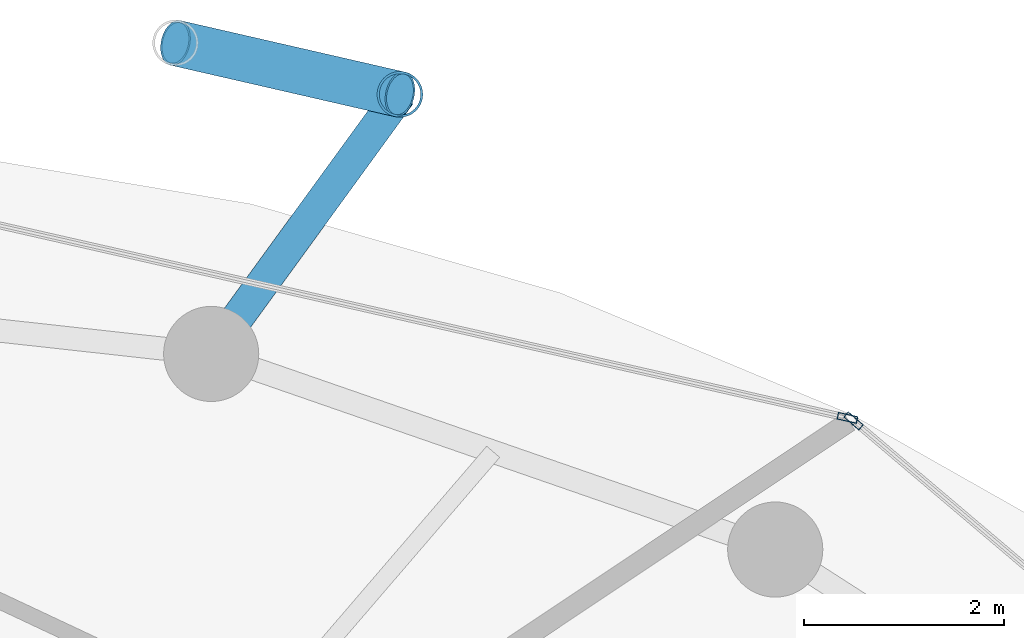
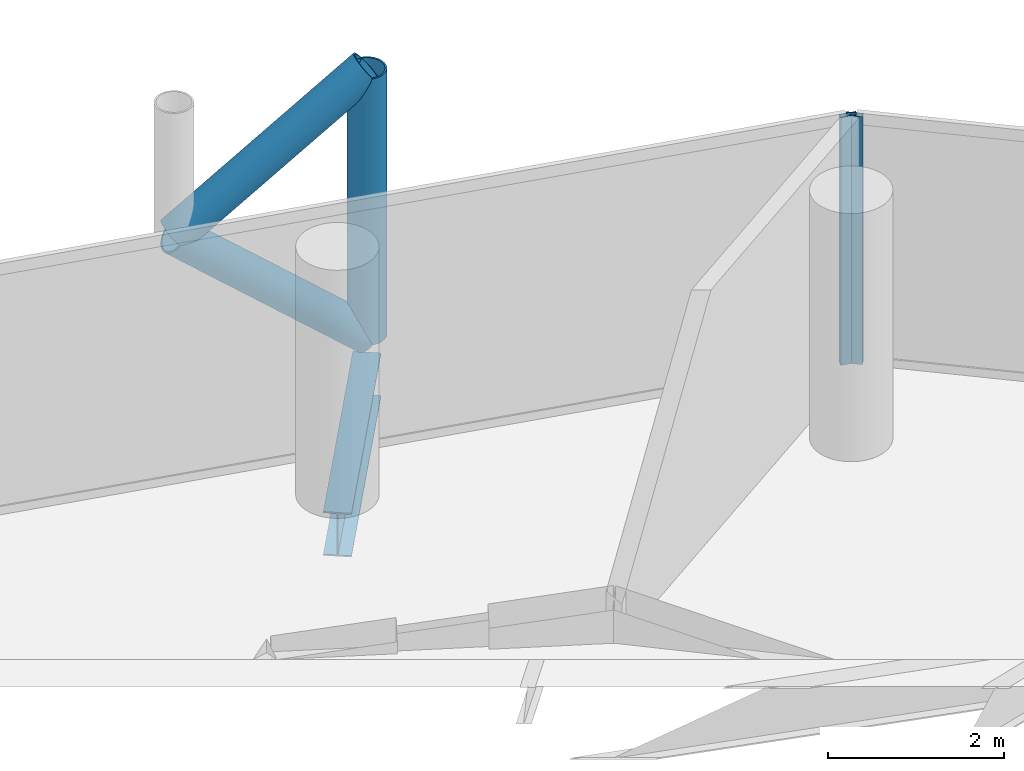
# One storey, part 20 of 26: 5 members, 1 beam, 2 elements without a shape of their own.
"""IFC4 building model written with IfcOpenShell, lengths in metres."""

import ifcopenshell
import ifcopenshell.guid

model = None  # the IFC model being written
_history = None  # IfcOwnerHistory: only IFC2X3 demands one
_inside = {}  # id of a spatial element -> (the spatial element, [elements in it])
_under = {}  # id of a project, library or spatial element -> (it, [spatial elements below it])
_declared = {}  # id of a project -> (the project, [libraries it declares])
_typed = {}  # id of a type object -> (the type object, [elements of that type])
_made_of = {}  # id of a material, layer set ... -> (it, [elements and type objects made of it])


def new_model(schema):
    """Start an empty IFC model of exactly this schema.

    Asked for "IFC4X3", IfcOpenShell would pick the latest addendum, in which some entities
    have other attributes; the version numbers below select the first issue.
    IFC2X3 requires an IfcOwnerHistory on every rooted entity: one is made here for all.
    """
    global model, _history
    if schema == "IFC4X3":
        model = ifcopenshell.file(schema_version=(4, 3, 0, 0))
    else:
        model = ifcopenshell.file(schema=schema)
    _inside.clear()
    _under.clear()
    _declared.clear()
    _typed.clear()
    _made_of.clear()
    _history = None
    if model.schema == "IFC2X3":
        org = make("IfcOrganization", Name="unknown")
        user = make(
            "IfcPersonAndOrganization",
            ThePerson=make("IfcPerson", FamilyName="unknown"),
            TheOrganization=org,
        )
        app = make(
            "IfcApplication",
            ApplicationDeveloper=org,
            Version="unknown",
            ApplicationFullName="unknown",
            ApplicationIdentifier="unknown",
        )
        _history = make(
            "IfcOwnerHistory",
            OwningUser=user,
            OwningApplication=app,
            ChangeAction="ADDED",
            CreationDate=0,
        )
    return model


def make(cls, **values):
    """One entity of the class cls with the attributes given. An attribute that is None is left unset."""
    return model.create_entity(
        cls, **{name: value for name, value in values.items() if value is not None}
    )


def rooted(cls, **values):
    """An entity with a GlobalId (a new one), such as an element, a storey or a relation."""
    return make(cls, GlobalId=ifcopenshell.guid.new(), OwnerHistory=_history, **values)


def si_unit(unit_type, name, prefix=None):
    """IfcSIUnit, for example si_unit("LENGTHUNIT", "METRE", prefix="MILLI")."""
    return make("IfcSIUnit", UnitType=unit_type, Prefix=prefix, Name=name)


def assignment(units):
    """IfcUnitAssignment: the units of a project."""
    return None if units is None else make("IfcUnitAssignment", Units=units)


def point(xyz):
    """IfcCartesianPoint."""
    return None if xyz is None else make("IfcCartesianPoint", Coordinates=xyz)


def direction(xyz):
    """IfcDirection."""
    return None if xyz is None else make("IfcDirection", DirectionRatios=xyz)


def frame(location, z_axis=None, x_axis=None):
    """IfcAxis2Placement3D, a coordinate frame: its origin and axes. An axis left out is left unset."""
    return make(
        "IfcAxis2Placement3D",
        Location=point(location),
        Axis=direction(z_axis),
        RefDirection=direction(x_axis),
    )


def frame_2d(location, x_axis=None):
    """IfcAxis2Placement2D, a coordinate frame in the plane: its origin and x axis."""
    return make(
        "IfcAxis2Placement2D", Location=point(location), RefDirection=direction(x_axis)
    )


def origin():
    """The frame at (0, 0, 0) with its axes left unset."""
    return frame((0.0, 0.0, 0.0))


def origin_2d():
    """The frame at (0, 0) in the plane with its x axis left unset."""
    return frame_2d((0.0, 0.0))


def place(relative_to, where):
    """IfcLocalPlacement: puts the frame where relative to a parent placement (None: the world)."""
    return make(
        "IfcLocalPlacement", PlacementRelTo=relative_to, RelativePlacement=where
    )


def context(
    kind, dimensions, precision=None, world=None, true_north=None, identifier=None
):
    """IfcGeometricRepresentationContext, for example the 3D "Model" context."""
    return make(
        "IfcGeometricRepresentationContext",
        ContextIdentifier=identifier,
        ContextType=kind,
        CoordinateSpaceDimension=dimensions,
        Precision=precision,
        WorldCoordinateSystem=world,
        TrueNorth=true_north,
    )


def subcontext(parent, identifier, kind, view, scale=None):
    """IfcGeometricRepresentationSubContext, for example "Body" below "Model"."""
    return make(
        "IfcGeometricRepresentationSubContext",
        ContextIdentifier=identifier,
        ContextType=kind,
        ParentContext=parent,
        TargetScale=scale,
        TargetView=view,
    )


def project(units=None, contexts=None):
    """IfcProject with its units and contexts."""
    return rooted(
        "IfcProject",
        Name="project",
        RepresentationContexts=contexts,
        UnitsInContext=assignment(units),
    )


def spatial(cls, under=None, at=None, **own):
    """A site, building, storey or space (cls), placed at a placement, below another one or the project."""
    s = rooted(cls, ObjectPlacement=at, **own)
    if under is not None:
        _under.setdefault(under.id(), (under, []))[1].append(s)
    return s


def profile(cls, at=None, kind="AREA", **sizes):
    """A parametric profile (cls). Its sizes go by their IFC names, for example OverallWidth=200.0."""
    return make(cls, ProfileType=kind, Position=at, **sizes)


def hollow_rectangle(**sizes):
    """IfcRectangleHollowProfileDef."""
    return profile("IfcRectangleHollowProfileDef", **sizes)


def hollow_circle(**sizes):
    """IfcCircleHollowProfileDef."""
    return profile("IfcCircleHollowProfileDef", **sizes)


def i_section(**sizes):
    """IfcIShapeProfileDef."""
    return profile("IfcIShapeProfileDef", **sizes)


def extrude(swept, where, along, depth):
    """IfcExtrudedAreaSolid: the profile swept, set in the frame where, extruded along a direction by depth."""
    return make(
        "IfcExtrudedAreaSolid",
        SweptArea=swept,
        Position=where,
        ExtrudedDirection=direction(along),
        Depth=depth,
    )


def shape(context_of_items, identifier, shape_type, items):
    """IfcShapeRepresentation: the items that make up one representation, for example the "Body"."""
    return make(
        "IfcShapeRepresentation",
        ContextOfItems=context_of_items,
        RepresentationIdentifier=identifier,
        RepresentationType=shape_type,
        Items=items,
    )


def material(Name=None, Category=None):
    """IfcMaterial."""
    return make("IfcMaterial", Name=Name, Category=Category)


def layer(
    of_material, thickness, ventilated=None, Name=None, Category=None, Priority=None
):
    """IfcMaterialLayer: one layer of a wall or slab, of a material (None: an air gap)."""
    return make(
        "IfcMaterialLayer",
        Material=of_material,
        LayerThickness=thickness,
        IsVentilated=ventilated,
        Name=Name,
        Category=Category,
        Priority=Priority,
    )


def layer_set(layers, Name=None):
    """IfcMaterialLayerSet."""
    return make("IfcMaterialLayerSet", MaterialLayers=layers, LayerSetName=Name)


def material_profile(
    of_material, cross_section, Name=None, Category=None, Priority=None
):
    """IfcMaterialProfile: a cross section and its material."""
    return make(
        "IfcMaterialProfile",
        Name=Name,
        Material=of_material,
        Profile=cross_section,
        Priority=Priority,
        Category=Category,
    )


def profile_set(profiles, Name=None, composite=None):
    """IfcMaterialProfileSet."""
    return make(
        "IfcMaterialProfileSet",
        Name=Name,
        MaterialProfiles=profiles,
        CompositeProfile=composite,
    )


def made_of(thing, what):
    """Note that an element or type object is made of a material, layer set ...; save() writes the relation."""
    if what is not None:
        _made_of.setdefault(what.id(), (what, []))[1].append(thing)
    return thing


def type_object(cls, material=None, **own):
    """A type object (cls), such as IfcWallType, which elements share."""
    return made_of(rooted(cls, **own), material)


def element(
    cls,
    number,
    at=None,
    inside=None,
    cuts=None,
    type_object=None,
    material=None,
    context=None,
    identifier="Body",
    shape_type=None,
    held_by="IfcProductDefinitionShape",
    body=None,
    shapes=None,
    **own,
):
    """One element of the class cls, such as IfcWall. Its Tag is "e" and its number.

    at: its placement. inside: the storey or other place that contains it. cuts: it is an
    opening in that element (IfcRelVoidsElement). A single representation is given by context,
    identifier, shape_type and body (its items); several are given by shapes. held_by: the class
    of the entity that holds the representations. save() writes the other relations.
    """
    e = rooted(cls, Tag="e%d" % number, ObjectPlacement=at, **own)
    if body is not None:
        shapes = [shape(context, identifier, shape_type, body)]
    if shapes is not None:
        e.Representation = make(held_by, Representations=shapes)
    if inside is not None:
        _inside.setdefault(inside.id(), (inside, []))[1].append(e)
    if cuts is not None:
        rooted(
            "IfcRelVoidsElement", RelatingBuildingElement=cuts, RelatedOpeningElement=e
        )
    if type_object is not None:
        _typed.setdefault(type_object.id(), (type_object, []))[1].append(e)
    return made_of(e, material)


def aggregate(whole, parts):
    """IfcRelAggregates: a whole, such as a stair, and the parts it consists of."""
    return rooted("IfcRelAggregates", RelatingObject=whole, RelatedObjects=parts)


def save(model, path):
    """Write the relations noted so far, then the file.

    IfcRelAggregates (storeys below a building ...), IfcRelContainedInSpatialStructure (elements
    in a storey), IfcRelDefinesByType, IfcRelAssociatesMaterial and IfcRelDeclares: one each for
    every whole, place, type object, material and project.
    """
    for whole, parts in _under.values():
        aggregate(whole, parts)
    for where, things in _inside.values():
        rooted(
            "IfcRelContainedInSpatialStructure",
            RelatedElements=things,
            RelatingStructure=where,
        )
    for kind, things in _typed.values():
        rooted("IfcRelDefinesByType", RelatedObjects=things, RelatingType=kind)
    for what, things in _made_of.values():
        rooted("IfcRelAssociatesMaterial", RelatedObjects=things, RelatingMaterial=what)
    for by, libraries in _declared.values():
        rooted("IfcRelDeclares", RelatingContext=by, RelatedDefinitions=libraries)
    model.write(path)


model = new_model("IFC4")

# Units and contexts
model_context = context("Model", 3, precision=1e-05, world=origin(), true_north=direction((0.0, 1.0)))
body_context = subcontext(model_context, "Body", "Model", "MODEL_VIEW")
ifc_project = project(units=[si_unit("LENGTHUNIT", "METRE"), si_unit("AREAUNIT", "SQUARE_METRE"), si_unit("VOLUMEUNIT", "CUBIC_METRE"), si_unit("PLANEANGLEUNIT", "RADIAN"), si_unit("MASSUNIT", "GRAM", prefix="KILO")], contexts=[model_context])

# Site, building, storey
site_placement = place(None, origin())
site = spatial("IfcSite", under=ifc_project, at=site_placement, CompositionType="ELEMENT")
building_placement = place(site_placement, origin())
building = spatial("IfcBuilding", under=site, at=building_placement, Name="Nuhasar Tower", CompositionType="ELEMENT")
storey_placement = place(building_placement, frame((0.0, 0.0, 129.35009765625)))
storey = spatial("IfcBuildingStorey", under=building, at=storey_placement, Name="L30", CompositionType="ELEMENT", Elevation=129.35009765625)

# Beam
ifc_material_1 = material(Name="Steel S355", Category="steel")
ifc_material_profile_1 = material_profile(ifc_material_1, i_section(OverallWidth=0.323974609375, OverallDepth=0.611083984375, WebThickness=0.0126953125, FlangeThickness=0.01904296875, at=origin_2d()), Name="W24X104")
ifc_profile_set_1 = profile_set([ifc_material_profile_1], Name="Steel S355")
beam_type = type_object("IfcBeamType", Name="BM-TIE-W24X104", PredefinedType="BEAM", material=ifc_profile_set_1)
beam_placement = place(storey_placement, frame((45.04296875, 45.68408203125, -0.55615234375), z_axis=(0.588185286445, 0.808726201387, 0.0), x_axis=(-0.808726201387, 0.588185286445, 0.0)))
element("IfcBeam", 1, at=beam_placement, inside=storey, type_object=beam_type, Name="L30 Exoskeleton Node Tie Beam 03", PredefinedType="BEAM", context=body_context, shape_type="SweptSolid", body=[
    extrude(i_section(OverallWidth=0.323974609375, OverallDepth=0.611083984375, WebThickness=0.0126953125, FlangeThickness=0.01904296875, at=origin_2d()), origin(), (0.0, 0.0, 1.0), 3.204833984375),
])

# Curtain wall, member
ifc_material_2 = material(Name="Aluminium 6063-T6", Category="aluminium")
ifc_layer = layer(ifc_material_2, 0.199951171875)
ifc_layer_set = layer_set([ifc_layer], Name="Aluminium 6063-T6")
curtain_wall_type = type_object("IfcCurtainWallType", Name="CW-Z2-HTL", PredefinedType="NOTDEFINED", material=ifc_layer_set)
curtain_wall_1_placement = place(storey_placement, origin())
curtain_wall_1 = element("IfcCurtainWall", 2, at=curtain_wall_1_placement, inside=storey, type_object=curtain_wall_type, Name="L30 Unitised Curtain Wall 02", PredefinedType="NOTDEFINED")
ifc_material_profile_2 = material_profile(ifc_material_2, hollow_rectangle(XDim=0.070068359375, YDim=0.199951171875, WallThickness=0.0048828125, at=origin_2d()), Name="CWM-3")
ifc_profile_set_2 = profile_set([ifc_material_profile_2], Name="Aluminium 6063-T6")
member_type_1 = type_object("IfcMemberType", Name="CW-MUL-S3", PredefinedType="MULLION", material=ifc_profile_set_2)
member_1_placement = place(storey_placement, frame((51.456787109375, 45.015380859375, 0.0), z_axis=(0.0, 0.0, 1.0), x_axis=(-0.646374438324, -0.763020370292, 0.0)))
member_1 = element("IfcMember", 3, at=member_1_placement, type_object=member_type_1, Name="CW-Z2 mullion 2", PredefinedType="MULLION", context=body_context, shape_type="SweptSolid", body=[
    extrude(hollow_rectangle(XDim=0.070068359375, YDim=0.199951171875, WallThickness=0.0048828125, at=origin_2d()), origin(), (0.0, 0.0, 1.0), 3.449951171875),
])
aggregate(curtain_wall_1, [member_1])

curtain_wall_2_placement = place(storey_placement, origin())
curtain_wall_2 = element("IfcCurtainWall", 4, at=curtain_wall_2_placement, inside=storey, type_object=curtain_wall_type, Name="L30 Unitised Curtain Wall 03", PredefinedType="NOTDEFINED")
member_2_placement = place(storey_placement, frame((51.395751953125, 45.045654296875, 0.0), z_axis=(0.0, 0.0, 1.0), x_axis=(-0.22139729566, -0.975183694221, 0.0)))
member_2 = element("IfcMember", 5, at=member_2_placement, type_object=member_type_1, Name="CW-Z2 mullion 1", PredefinedType="MULLION", context=body_context, shape_type="SweptSolid", body=[
    extrude(hollow_rectangle(XDim=0.070068359375, YDim=0.199951171875, WallThickness=0.0048828125, at=origin_2d()), origin(), (0.0, 0.0, 1.0), 3.449951171875),
])
aggregate(curtain_wall_2, [member_2])

# Members
ifc_material_3 = material(Name="Steel S460", Category="steel")
ifc_material_profile_3 = material_profile(ifc_material_3, hollow_circle(Radius=0.228515625, WallThickness=0.022216796875, at=origin_2d()), Name="HSS457X22.2")
ifc_profile_set_3 = profile_set([ifc_material_profile_3], Name="Steel S460")
member_type_2 = type_object("IfcMemberType", Name="EXO-BRONZE-457", PredefinedType="BRACE", material=ifc_profile_set_3)
member_3_placement = place(storey_placement, frame((46.927978515625, 48.27587890625, 0.0), z_axis=(0.0, 0.0, 1.0), x_axis=(1.0, 0.0, 0.0)))
element("IfcMember", 6, at=member_3_placement, inside=storey, type_object=member_type_2, Name="L30 Exoskeleton Chord Column EC-03A", PredefinedType="BRACE", context=body_context, shape_type="SweptSolid", body=[
    extrude(hollow_circle(Radius=0.228515625, WallThickness=0.022216796875, at=origin_2d()), origin(), (0.0, 0.0, 1.0), 3.699951171875),
])
member_4_placement = place(storey_placement, frame((46.927978515625, 48.27587890625, 0.0), z_axis=(-0.759538919781, 0.174190239035, 0.626704388019), x_axis=(-0.223533724104, -0.974696195842, 0.0)))
element("IfcMember", 7, at=member_4_placement, inside=storey, type_object=member_type_2, Name="L30 Bronze Diagrid Brace W1-03", PredefinedType="BRACE", context=body_context, shape_type="SweptSolid", body=[
    extrude(hollow_circle(Radius=0.228515625, WallThickness=0.022216796875, at=origin_2d()), origin(), (0.0, 0.0, 1.0), 2.95166015625),
])
member_5_placement = place(storey_placement, frame((44.68603515625, 48.7900390625, 1.849853515625), z_axis=(0.759499549084, -0.174181209885, 0.626754609927), x_axis=(0.223533724104, 0.974696195842, 0.0)))
element("IfcMember", 8, at=member_5_placement, inside=storey, type_object=member_type_2, Name="L30 Bronze Diagrid Brace W2-03", PredefinedType="BRACE", context=body_context, shape_type="SweptSolid", body=[
    extrude(hollow_circle(Radius=0.228515625, WallThickness=0.022216796875, at=origin_2d()), origin(), (0.0, 0.0, 1.0), 2.951904296875),
])

save(model, "model.ifc")
